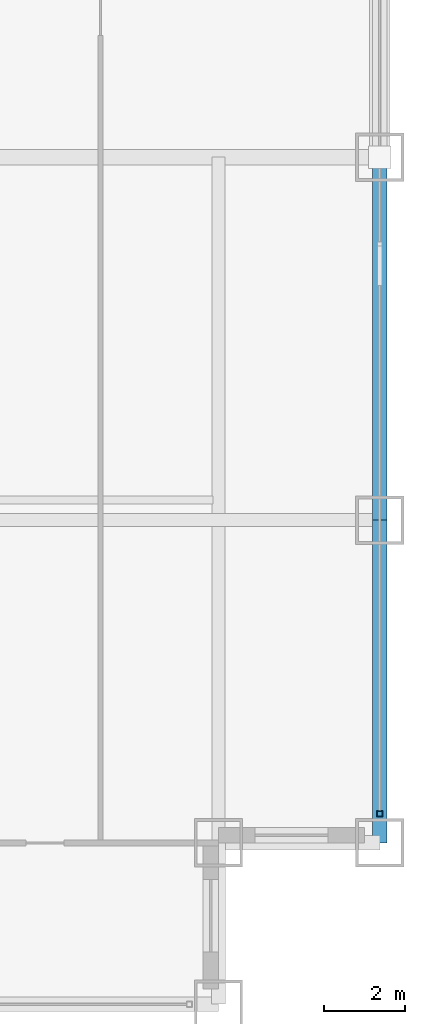
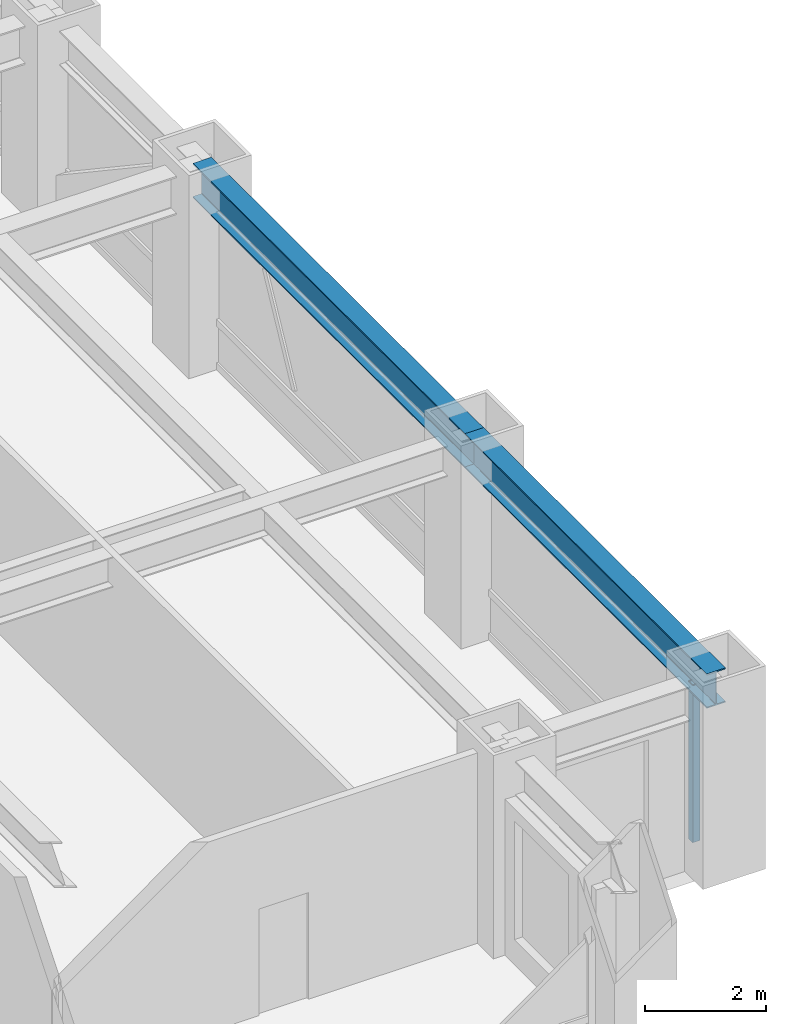
# One storey, part 12 of 28: 2 beams, 1 member, 1 element without a shape of its own.
"""IFC4 building model written with IfcOpenShell, lengths in metres."""

from ifc_helpers import new_model, si_unit, direction, frame, origin, origin_2d, place, context, subcontext, project, spatial, hollow_rectangle, i_section, extrude, source, transform, mapped, material, material_profile, profile_set, type_object, element, aggregate, save


model = new_model("IFC4")

# Units and contexts
model_context = context("Model", 3, precision=1e-05, world=origin(), true_north=direction((0.0, 1.0)))
body_context = subcontext(model_context, "Body", "Model", "MODEL_VIEW")
ifc_project = project(units=[si_unit("LENGTHUNIT", "METRE"), si_unit("AREAUNIT", "SQUARE_METRE"), si_unit("VOLUMEUNIT", "CUBIC_METRE"), si_unit("PLANEANGLEUNIT", "RADIAN"), si_unit("MASSUNIT", "GRAM", prefix="KILO")], contexts=[model_context])

# Site, building, storey
site_placement = place(None, origin())
site = spatial("IfcSite", under=ifc_project, at=site_placement, CompositionType="ELEMENT")
building_placement = place(site_placement, origin())
building = spatial("IfcBuilding", under=site, at=building_placement, Name="Khorayat Bourse Tower", CompositionType="ELEMENT")
storey_placement = place(building_placement, frame((0.0, 0.0, 116.0)))
storey = spatial("IfcBuildingStorey", under=building, at=storey_placement, Name="L26", CompositionType="ELEMENT", Elevation=116.0)

# Beams
ifc_material_1 = material(Name="Steel ASTM A992 Grade 50", Category="steel")
ifc_material_profile_1 = material_profile(ifc_material_1, i_section(OverallWidth=0.35498046875, OverallDepth=0.695068359375, WebThickness=0.015380859375, FlangeThickness=0.02490234375, FilletRadius=0.01806640625, at=origin_2d()), Name="W690X217")
ifc_profile_set_1 = profile_set([ifc_material_profile_1], Name="Steel ASTM A992 Grade 50")
beam_type = type_object("IfcBeamType", Name="BM-SPAN-690", PredefinedType="SPANDREL", material=ifc_profile_set_1)
shared_shape_1 = source(origin(), body_context, "Body", "SweptSolid", [
    extrude(i_section(OverallWidth=0.35498046875, OverallDepth=0.695068359375, WebThickness=0.015380859375, FlangeThickness=0.02490234375, FilletRadius=0.01806640625, at=origin_2d()), origin(), (0.0, 0.0, 1.0), 9.0),
])
beam_1_placement = place(storey_placement, frame((32.0, -20.0, 3.492431640625), z_axis=(0.0, 1.0, 0.0), x_axis=(-1.0, 0.0, 0.0)))
element("IfcBeam", 1, at=beam_1_placement, inside=storey, type_object=beam_type, Name="L26 BM-SPAN-690 BM-L26-SPN-035", PredefinedType="SPANDREL", context=body_context, shape_type="MappedRepresentation", body=[
    mapped(shared_shape_1, transform((0.0, 0.0, 0.0), scale=1.0)),
])
shared_shape_2 = source(origin(), body_context, "Body", "SweptSolid", [
    extrude(i_section(OverallWidth=0.35498046875, OverallDepth=0.695068359375, WebThickness=0.015380859375, FlangeThickness=0.02490234375, FilletRadius=0.01806640625, at=origin_2d()), origin(), (0.0, 0.0, 1.0), 8.0),
])
beam_2_placement = place(storey_placement, frame((32.0, -28.0, 3.492431640625), z_axis=(0.0, 1.0, 0.0), x_axis=(-1.0, 0.0, 0.0)))
element("IfcBeam", 2, at=beam_2_placement, inside=storey, type_object=beam_type, Name="L26 BM-SPAN-690 BM-L26-SPN-034", PredefinedType="SPANDREL", context=body_context, shape_type="MappedRepresentation", body=[
    mapped(shared_shape_2, transform((0.0, 0.0, 0.0), scale=1.0)),
])

# Curtain wall, member
ifc_material_2 = material(Name="Aluminium EN AW-6063 T6", Category="aluminium")
curtain_wall_type = type_object("IfcCurtainWallType", Name="CW-SYS-02", PredefinedType="NOTDEFINED", material=ifc_material_2)
curtain_wall_placement = place(storey_placement, origin())
curtain_wall = element("IfcCurtainWall", 3, at=curtain_wall_placement, inside=storey, type_object=curtain_wall_type, Name="L26 Curtain Wall CW-L26-E1", PredefinedType="NOTDEFINED")
ifc_material_profile_2 = material_profile(ifc_material_2, hollow_rectangle(XDim=0.139892578125, YDim=0.139892578125, WallThickness=0.006103515625, at=origin_2d()), Name="ALU 140x140x6")
ifc_profile_set_2 = profile_set([ifc_material_profile_2], Name="Aluminium EN AW-6063 T6")
member_type = type_object("IfcMemberType", Name="CWM-VERT-140", PredefinedType="MULLION", material=ifc_profile_set_2)
shared_shape_3 = source(origin(), body_context, "Body", "SweptSolid", [
    extrude(hollow_rectangle(XDim=0.139892578125, YDim=0.139892578125, WallThickness=0.006103515625, at=origin_2d()), origin(), (0.0, 0.0, 1.0), 3.18994140625),
])
member_placement = place(storey_placement, frame((32.0, -27.280029296875, 0.0), z_axis=(0.0, 0.0, 1.0), x_axis=(-1.0, 0.0, 0.0)))
member = element("IfcMember", 4, at=member_placement, type_object=member_type, Name="CW-L26-E1 Vertical Mullion 1", PredefinedType="MULLION", context=body_context, shape_type="MappedRepresentation", body=[
    mapped(shared_shape_3, transform((0.0, 0.0, 0.0), scale=1.0)),
])
aggregate(curtain_wall, [member])

save(model, "model.ifc")
